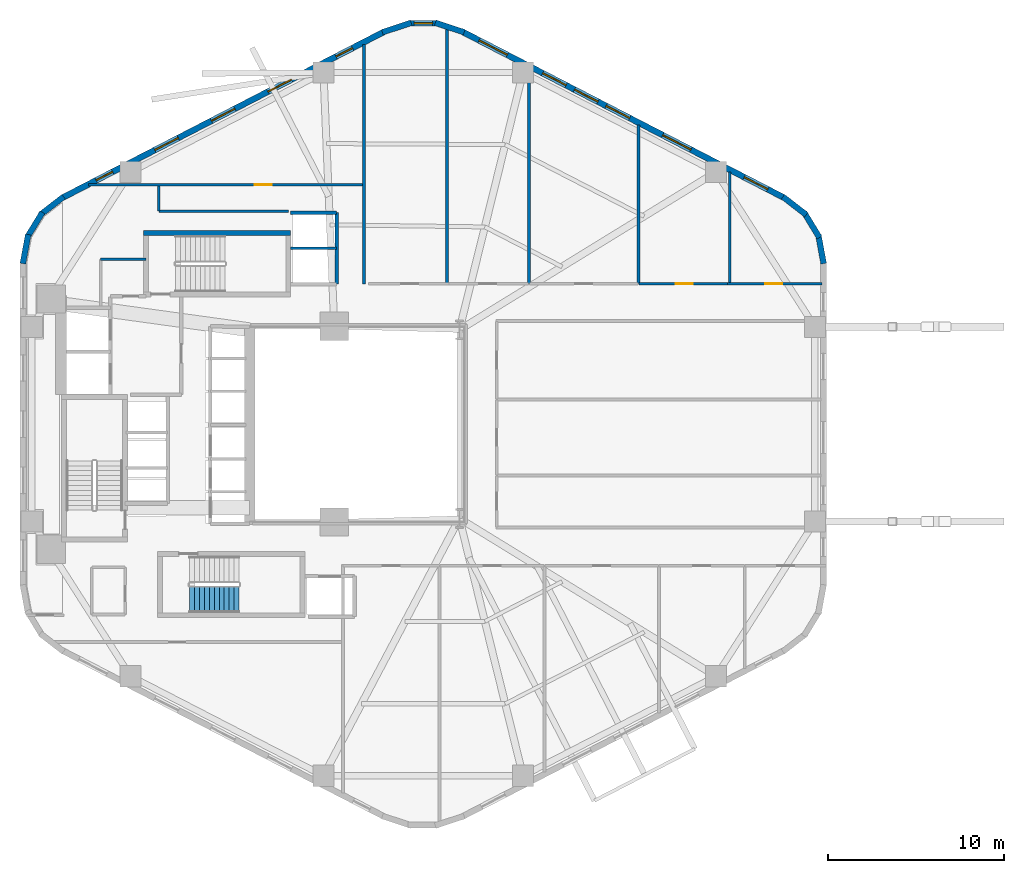
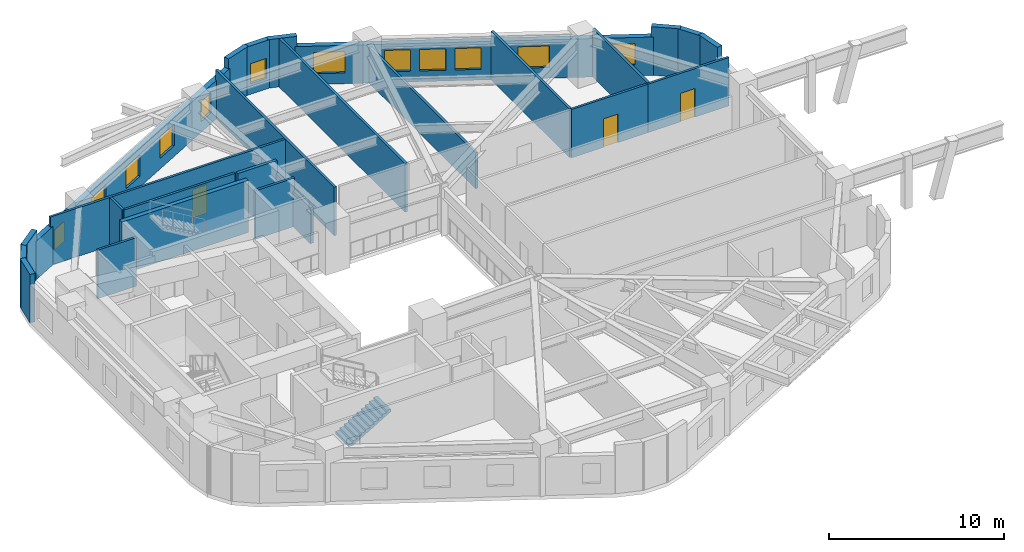
# One storey, part 5 of 7: 26 walls, 12 windows, 3 doors, 1 stair flight, 15 openings, 1 element without a shape of its own.
"""IFC4 building model written with IfcOpenShell, lengths in metres."""

from ifc_helpers import new_model, si_unit, direction, frame, frame_2d, origin, place, context, subcontext, project, spatial, polyline, rectangle, outline, extrude, material, layer, layer_set, type_object, element, fill, aggregate, save


model = new_model("IFC4")

# Units and contexts
model_context = context("Model", 3, precision=1e-05, world=origin(), true_north=direction((0.0, 1.0)))
body_context = subcontext(model_context, "Body", "Model", "MODEL_VIEW")
ifc_project = project(units=[si_unit("LENGTHUNIT", "METRE"), si_unit("AREAUNIT", "SQUARE_METRE"), si_unit("VOLUMEUNIT", "CUBIC_METRE"), si_unit("PLANEANGLEUNIT", "RADIAN"), si_unit("MASSUNIT", "GRAM", prefix="KILO"), si_unit("THERMODYNAMICTEMPERATUREUNIT", "KELVIN"), si_unit("POWERUNIT", "WATT")], contexts=[model_context])

# Site, building, storey
site_placement = place(None, origin())
site = spatial("IfcSite", under=ifc_project, at=site_placement, CompositionType="ELEMENT")
building_placement = place(site_placement, origin())
building = spatial("IfcBuilding", under=site, at=building_placement, Name="Skarre Station Tower", CompositionType="ELEMENT")
storey_placement = place(building_placement, frame((0.0, 0.0, 41.60009765625)))
storey = spatial("IfcBuildingStorey", under=building, at=storey_placement, Name="L10", CompositionType="ELEMENT", Elevation=41.60009765625)

# Wall
ifc_material_1 = material(Name="Acoustic Steel-Stud Gypsum Partition", Category="steel")
ifc_layer_1 = layer(ifc_material_1, 0.14990234375, Name="Acoustic Steel-Stud Gypsum Partition")
ifc_layer_set_1 = layer_set([ifc_layer_1], Name="Acoustic Steel-Stud Gypsum Partition")
wall_type_1 = type_object("IfcWallType", Name="Fire-Rated Corridor Acoustic Partition 150", PredefinedType="PARTITIONING", material=ifc_layer_set_1)
wall_1_placement = place(storey_placement, frame((21.659912109375, 33.35009765625, 0.0), z_axis=(0.0, 0.0, 1.0), x_axis=(-1.0, 0.0, 0.0)))
element("IfcWall", 1, at=wall_1_placement, inside=storey, type_object=wall_type_1, Name="L10 Interior Partition WL-PT-L10-CNW-N1", PredefinedType="PARTITIONING", context=body_context, shape_type="SweptSolid", body=[
    extrude(rectangle(XDim=2.559814453125, YDim=0.14990234375, at=frame_2d((1.27978515625, 0.0))), origin(), (0.0, 0.0, 1.0), 3.389892578125),
])

# Wall, opening, door
wall_2_placement = place(storey_placement, frame((34.0, 37.580078125, 0.0), z_axis=(0.0, 0.0, 1.0), x_axis=(-1.0, 0.0, 0.0)))
wall_2 = element("IfcWall", 2, at=wall_2_placement, inside=storey, type_object=wall_type_1, Name="L10 Interior Partition WL-PT-L10-NWW1-CW", PredefinedType="PARTITIONING", context=body_context, shape_type="SweptSolid", body=[
    extrude(rectangle(XDim=15.60009765625, YDim=0.14990234375, at=frame_2d((7.800048828125, 0.0))), origin(), (0.0, 0.0, 1.0), 3.389892578125),
])
opening_1_placement = place(wall_2_placement, frame((5.195068359375, 0.0, 0.0)))
opening_1 = element("IfcOpeningElement", 3, at=opening_1_placement, cuts=wall_2, Name="Opening DR-FD60", PredefinedType="OPENING", context=body_context, shape_type="SweptSolid", body=[
    extrude(rectangle(XDim=0.9599609375, YDim=2.0, at=frame_2d((0.47998046875, 1.0))), frame((0.0, 0.0849609375, 0.0), z_axis=(0.0, -1.0, 0.0), x_axis=(1.0, 0.0, 0.0)), (0.0, 0.0, 1.0), 0.169921875),
])
ifc_material_2 = material(Name="Nordic White-Oak Veneer Solid-Core Fire Leaf", Category="wood")
door_type = type_object("IfcDoorType", Name="Corridor Suite Entry Fire Door FD60 960x2150", OperationType="SINGLE_SWING_LEFT", PredefinedType="DOOR", material=ifc_material_2)
door_1_placement = place(opening_1_placement, origin())
door_1 = element("IfcDoor", 4, at=door_1_placement, inside=storey, type_object=door_type, Name="L10 NWW1 Entry Door", OperationType="SINGLE_SWING_LEFT", OverallHeight=2.0, OverallWidth=0.9599609375, PredefinedType="DOOR", context=body_context, shape_type="SweptSolid", body=[
    extrude(rectangle(XDim=0.9599609375, YDim=2.0, at=frame_2d((0.47998046875, 1.0))), frame((0.0, 0.02490234375, 0.0), z_axis=(0.0, -1.0, 0.0), x_axis=(1.0, 0.0, 0.0)), (0.0, 0.0, 1.0), 0.050048828125),
])
fill(opening_1, door_1)

wall_3_placement = place(storey_placement, frame((54.656005859375, 31.9599609375, 0.0), z_axis=(0.0, 0.0, 1.0), x_axis=(-1.0, 0.0, 0.0)))
wall_3 = element("IfcWall", 5, at=wall_3_placement, inside=storey, type_object=wall_type_1, Name="L10 Interior Partition WL-PT-L10-NW4-CW", PredefinedType="PARTITIONING", context=body_context, shape_type="SweptSolid", body=[
    extrude(rectangle(XDim=5.030029296875, YDim=0.14990234375, at=frame_2d((2.51513671875, 0.0))), origin(), (0.0, 0.0, 1.0), 3.389892578125),
])
opening_2_placement = place(wall_3_placement, frame((1.97802734375, 0.0, 0.0)))
opening_2 = element("IfcOpeningElement", 6, at=opening_2_placement, cuts=wall_3, Name="Opening DR-FD60", PredefinedType="OPENING", context=body_context, shape_type="SweptSolid", body=[
    extrude(rectangle(XDim=0.9599609375, YDim=2.0, at=frame_2d((0.47998046875, 1.0))), frame((0.0, 0.0849609375, 0.0), z_axis=(0.0, -1.0, 0.0), x_axis=(1.0, 0.0, 0.0)), (0.0, 0.0, 1.0), 0.169921875),
])
door_2_placement = place(opening_2_placement, origin())
door_2 = element("IfcDoor", 7, at=door_2_placement, inside=storey, type_object=door_type, Name="L10 NW4 Entry Door", OperationType="SINGLE_SWING_LEFT", OverallHeight=2.0, OverallWidth=0.9599609375, PredefinedType="DOOR", context=body_context, shape_type="SweptSolid", body=[
    extrude(rectangle(XDim=0.9599609375, YDim=2.0, at=frame_2d((0.47998046875, 1.0))), frame((0.0, 0.02490234375, 0.0), z_axis=(0.0, -1.0, 0.0), x_axis=(1.0, 0.0, 0.0)), (0.0, 0.0, 1.0), 0.050048828125),
])
fill(opening_2, door_2)

wall_4_placement = place(storey_placement, frame((60.031982421875, 31.9599609375, 0.0), z_axis=(0.0, 0.0, 1.0), x_axis=(-1.0, 0.0, 0.0)))
wall_4 = element("IfcWall", 8, at=wall_4_placement, inside=storey, type_object=wall_type_1, Name="L10 Interior Partition WL-PT-L10-NW5-CW", PredefinedType="PARTITIONING", context=body_context, shape_type="SweptSolid", body=[
    extrude(rectangle(XDim=5.365966796875, YDim=0.14990234375, at=frame_2d((2.68310546875, 0.0))), origin(), (0.0, 0.0, 1.0), 3.389892578125),
])
opening_3_placement = place(wall_4_placement, frame((2.260009765625, 0.0, 0.0)))
opening_3 = element("IfcOpeningElement", 9, at=opening_3_placement, cuts=wall_4, Name="Opening DR-FD60", PredefinedType="OPENING", context=body_context, shape_type="SweptSolid", body=[
    extrude(rectangle(XDim=0.9599609375, YDim=2.0, at=frame_2d((0.47998046875, 1.0))), frame((0.0, 0.0849609375, 0.0), z_axis=(0.0, -1.0, 0.0), x_axis=(1.0, 0.0, 0.0)), (0.0, 0.0, 1.0), 0.169921875),
])
door_3_placement = place(opening_3_placement, origin())
door_3 = element("IfcDoor", 10, at=door_3_placement, inside=storey, type_object=door_type, Name="L10 NW5 Entry Door", OperationType="SINGLE_SWING_LEFT", OverallHeight=2.0, OverallWidth=0.9599609375, PredefinedType="DOOR", context=body_context, shape_type="SweptSolid", body=[
    extrude(rectangle(XDim=0.9599609375, YDim=2.0, at=frame_2d((0.47998046875, 1.0))), frame((0.0, 0.02490234375, 0.0), z_axis=(0.0, -1.0, 0.0), x_axis=(1.0, 0.0, 0.0)), (0.0, 0.0, 1.0), 0.050048828125),
])
fill(opening_3, door_3)

# Walls
wall_5_placement = place(storey_placement, frame((29.7529296875, 36.080078125, 0.0), z_axis=(0.0, 0.0, 1.0), x_axis=(-1.0, 0.0, 0.0)))
element("IfcWall", 11, at=wall_5_placement, inside=storey, type_object=wall_type_1, Name="L10 Interior Partition WL-PT-L10-CSEAL-1", PredefinedType="PARTITIONING", context=body_context, shape_type="SweptSolid", body=[
    extrude(rectangle(XDim=7.35302734375, YDim=0.14990234375, at=frame_2d((3.676513671875, 0.0))), origin(), (0.0, 0.0, 1.0), 3.389892578125),
])
wall_6_placement = place(storey_placement, frame((22.39990234375, 36.080078125, 0.0), z_axis=(0.0, 0.0, 1.0), x_axis=(0.0, 1.0, 0.0)))
element("IfcWall", 12, at=wall_6_placement, inside=storey, type_object=wall_type_1, Name="L10 Interior Partition WL-PT-L10-CSEAL-2", PredefinedType="PARTITIONING", context=body_context, shape_type="SweptSolid", body=[
    extrude(rectangle(XDim=1.429931640625, YDim=0.14990234375, at=frame_2d((0.71484375, 0.0))), origin(), (0.0, 0.0, 1.0), 3.389892578125),
])

# Wall, openings, windows
ifc_material_3 = material(Name="Precast concrete C45/55", Category="concrete")
ifc_layer_2 = layer(ifc_material_3, 0.340087890625, Name="Precast concrete C45/55")
ifc_layer_set_2 = layer_set([ifc_layer_2], Name="Precast concrete C45/55")
wall_type_2 = type_object("IfcWallType", Name="Nordic Honed Precast Facet Wall 340", PredefinedType="STANDARD", material=ifc_layer_set_2)
wall_7_placement = place(storey_placement, frame((39.631103515625, 46.257080078125, 0.0), z_axis=(0.0, 0.0, 1.0), x_axis=(0.888634413993, -0.458616264721, 0.0)))
wall_7 = element("IfcWall", 13, at=wall_7_placement, inside=storey, type_object=wall_type_2, Name="L10 Facet 0 Nordic Precast Masonry Wall", PredefinedType="STANDARD", context=body_context, shape_type="SweptSolid", body=[
    extrude(rectangle(XDim=20.53125, YDim=0.340087890625, at=frame_2d((10.265625, 0.0))), origin(), (0.0, 0.0, 1.0), 2.683837890625),
])
opening_4_placement = place(wall_7_placement, frame((1.05810546875, 0.0, 0.75)))
opening_4 = element("IfcOpeningElement", 14, at=opening_4_placement, cuts=wall_7, Name="Opening WN-Z1A", PredefinedType="OPENING", context=body_context, shape_type="SweptSolid", body=[
    extrude(rectangle(XDim=1.800048828125, YDim=1.5, at=frame_2d((0.89990234375, 0.75))), frame((0.0, 0.179931640625, 0.0), z_axis=(0.0, -1.0, 0.0), x_axis=(1.0, 0.0, 0.0)), (0.0, 0.0, 1.0), 0.360107421875),
])
opening_5_placement = place(wall_7_placement, frame((5.110107421875, 0.0, 0.75)))
opening_5 = element("IfcOpeningElement", 15, at=opening_5_placement, cuts=wall_7, Name="Opening WN-Z1B", PredefinedType="OPENING", context=body_context, shape_type="SweptSolid", body=[
    extrude(rectangle(XDim=1.5, YDim=1.5, at=frame_2d((0.75, 0.75))), frame((0.0, 0.179931640625, 0.0), z_axis=(0.0, -1.0, 0.0), x_axis=(1.0, 0.0, 0.0)), (0.0, 0.0, 1.0), 0.360107421875),
])
opening_6_placement = place(wall_7_placement, frame((7.137939453125, 0.0, 0.75)))
opening_6 = element("IfcOpeningElement", 16, at=opening_6_placement, cuts=wall_7, Name="Opening WN-Z1B", PredefinedType="OPENING", context=body_context, shape_type="SweptSolid", body=[
    extrude(rectangle(XDim=1.5, YDim=1.5, at=frame_2d((0.75, 0.75))), frame((0.0, 0.179931640625, 0.0), z_axis=(0.0, -1.0, 0.0), x_axis=(1.0, 0.0, 0.0)), (0.0, 0.0, 1.0), 0.360107421875),
])
opening_7_placement = place(wall_7_placement, frame((9.1650390625, 0.0, 0.75)))
opening_7 = element("IfcOpeningElement", 17, at=opening_7_placement, cuts=wall_7, Name="Opening WN-Z1B", PredefinedType="OPENING", context=body_context, shape_type="SweptSolid", body=[
    extrude(rectangle(XDim=1.5, YDim=1.5, at=frame_2d((0.75, 0.75))), frame((0.0, 0.179931640625, 0.0), z_axis=(0.0, -1.0, 0.0), x_axis=(1.0, 0.0, 0.0)), (0.0, 0.0, 1.0), 0.360107421875),
])
opening_8_placement = place(wall_7_placement, frame((12.77001953125, 0.0, 0.75)))
opening_8 = element("IfcOpeningElement", 18, at=opening_8_placement, cuts=wall_7, Name="Opening WN-Z1A", PredefinedType="OPENING", context=body_context, shape_type="SweptSolid", body=[
    extrude(rectangle(XDim=1.800048828125, YDim=1.5, at=frame_2d((0.89990234375, 0.75))), frame((0.0, 0.179931640625, 0.0), z_axis=(0.0, -1.0, 0.0), x_axis=(1.0, 0.0, 0.0)), (0.0, 0.0, 1.0), 0.360107421875),
])
opening_9_placement = place(wall_7_placement, frame((17.97998046875, 0.0, 0.75)))
opening_9 = element("IfcOpeningElement", 19, at=opening_9_placement, cuts=wall_7, Name="Opening WN-Z1B", PredefinedType="OPENING", context=body_context, shape_type="SweptSolid", body=[
    extrude(rectangle(XDim=1.5, YDim=1.5, at=frame_2d((0.75, 0.75))), frame((0.0, 0.179931640625, 0.0), z_axis=(0.0, -1.0, 0.0), x_axis=(1.0, 0.0, 0.0)), (0.0, 0.0, 1.0), 0.360107421875),
])
ifc_material_4 = material(Name="Low-Iron Triple Glazing with Bronze Anodized Frame", Category="glass")
window_type_1 = type_object("IfcWindowType", Name="Nordic Punched Triple-Glazed Window 1500x1500", PartitioningType="SINGLE_PANEL", PredefinedType="WINDOW", material=ifc_material_4)
window_1_placement = place(opening_5_placement, origin())
window_1 = element("IfcWindow", 20, at=window_1_placement, inside=storey, type_object=window_type_1, Name="L10 Facade Window WL-FAC-L10-F0-2", OverallHeight=1.5, OverallWidth=1.5, PartitioningType="SINGLE_PANEL", PredefinedType="WINDOW", context=body_context, shape_type="SweptSolid", body=[
    extrude(rectangle(XDim=1.5, YDim=1.5, at=frame_2d((0.75, 0.75))), frame((0.0, 0.030029296875, 0.0), z_axis=(0.0, -1.0, 0.0), x_axis=(1.0, 0.0, 0.0)), (0.0, 0.0, 1.0), 0.06005859375),
])
fill(opening_5, window_1)
window_2_placement = place(opening_6_placement, origin())
window_2 = element("IfcWindow", 21, at=window_2_placement, inside=storey, type_object=window_type_1, Name="L10 Facade Window WL-FAC-L10-F0-3", OverallHeight=1.5, OverallWidth=1.5, PartitioningType="SINGLE_PANEL", PredefinedType="WINDOW", context=body_context, shape_type="SweptSolid", body=[
    extrude(rectangle(XDim=1.5, YDim=1.5, at=frame_2d((0.75, 0.75))), frame((0.0, 0.030029296875, 0.0), z_axis=(0.0, -1.0, 0.0), x_axis=(1.0, 0.0, 0.0)), (0.0, 0.0, 1.0), 0.06005859375),
])
fill(opening_6, window_2)
window_3_placement = place(opening_7_placement, origin())
window_3 = element("IfcWindow", 22, at=window_3_placement, inside=storey, type_object=window_type_1, Name="L10 Facade Window WL-FAC-L10-F0-4", OverallHeight=1.5, OverallWidth=1.5, PartitioningType="SINGLE_PANEL", PredefinedType="WINDOW", context=body_context, shape_type="SweptSolid", body=[
    extrude(rectangle(XDim=1.5, YDim=1.5, at=frame_2d((0.75, 0.75))), frame((0.0, 0.030029296875, 0.0), z_axis=(0.0, -1.0, 0.0), x_axis=(1.0, 0.0, 0.0)), (0.0, 0.0, 1.0), 0.06005859375),
])
fill(opening_7, window_3)
window_4_placement = place(opening_9_placement, origin())
window_4 = element("IfcWindow", 23, at=window_4_placement, inside=storey, type_object=window_type_1, Name="L10 Facade Window WL-FAC-L10-F0-6", OverallHeight=1.5, OverallWidth=1.5, PartitioningType="SINGLE_PANEL", PredefinedType="WINDOW", context=body_context, shape_type="SweptSolid", body=[
    extrude(rectangle(XDim=1.5, YDim=1.5, at=frame_2d((0.75, 0.75))), frame((0.0, 0.030029296875, 0.0), z_axis=(0.0, -1.0, 0.0), x_axis=(1.0, 0.0, 0.0)), (0.0, 0.0, 1.0), 0.06005859375),
])
fill(opening_9, window_4)
window_type_2 = type_object("IfcWindowType", Name="Nordic Punched Triple-Glazed Window 1800x1500", PartitioningType="SINGLE_PANEL", PredefinedType="WINDOW", material=ifc_material_4)
window_5_placement = place(opening_4_placement, origin())
window_5 = element("IfcWindow", 24, at=window_5_placement, inside=storey, type_object=window_type_2, Name="L10 Facade Window WL-FAC-L10-F0-1", OverallHeight=1.5, OverallWidth=1.800048828125, PartitioningType="SINGLE_PANEL", PredefinedType="WINDOW", context=body_context, shape_type="SweptSolid", body=[
    extrude(rectangle(XDim=1.800048828125, YDim=1.5, at=frame_2d((0.89990234375, 0.75))), frame((0.0, 0.030029296875, 0.0), z_axis=(0.0, -1.0, 0.0), x_axis=(1.0, 0.0, 0.0)), (0.0, 0.0, 1.0), 0.06005859375),
])
fill(opening_4, window_5)
window_6_placement = place(opening_8_placement, origin())
window_6 = element("IfcWindow", 25, at=window_6_placement, inside=storey, type_object=window_type_2, Name="L10 Facade Window WL-FAC-L10-F0-5", OverallHeight=1.5, OverallWidth=1.800048828125, PartitioningType="SINGLE_PANEL", PredefinedType="WINDOW", context=body_context, shape_type="SweptSolid", body=[
    extrude(rectangle(XDim=1.800048828125, YDim=1.5, at=frame_2d((0.89990234375, 0.75))), frame((0.0, 0.030029296875, 0.0), z_axis=(0.0, -1.0, 0.0), x_axis=(1.0, 0.0, 0.0)), (0.0, 0.0, 1.0), 0.06005859375),
])
fill(opening_8, window_6)

wall_8_placement = place(storey_placement, frame((16.924072265625, 36.841064453125, 0.0), z_axis=(0.0, 0.0, 1.0), x_axis=(0.888634413993, 0.458616264721, 0.0)))
wall_8 = element("IfcWall", 26, at=wall_8_placement, inside=storey, type_object=wall_type_2, Name="L10 Facet 1 Nordic Precast Masonry Wall", PredefinedType="STANDARD", context=body_context, shape_type="SweptSolid", body=[
    extrude(rectangle(XDim=20.53125, YDim=0.340087890625, at=frame_2d((10.265625, 0.0))), origin(), (0.0, 0.0, 1.0), 2.683837890625),
])
opening_10_placement = place(wall_8_placement, frame((2.160888671875, 0.0, 0.75)))
opening_10 = element("IfcOpeningElement", 27, at=opening_10_placement, cuts=wall_8, Name="Opening WN-SLT", PredefinedType="OPENING", context=body_context, shape_type="SweptSolid", body=[
    extrude(rectangle(XDim=1.050048828125, YDim=1.39990234375, at=frame_2d((0.52490234375, 0.699951171875))), frame((0.0, 0.179931640625, 0.0), z_axis=(0.0, -1.0, 0.0), x_axis=(1.0, 0.0, 0.0)), (0.0, 0.0, 1.0), 0.360107421875),
])
opening_11_placement = place(wall_8_placement, frame((5.903076171875, 0.0, 0.75)))
opening_11 = element("IfcOpeningElement", 28, at=opening_11_placement, cuts=wall_8, Name="Opening WN-Z1B", PredefinedType="OPENING", context=body_context, shape_type="SweptSolid", body=[
    extrude(rectangle(XDim=1.5, YDim=1.5, at=frame_2d((0.75, 0.75))), frame((0.0, 0.179931640625, 0.0), z_axis=(0.0, -1.0, 0.0), x_axis=(1.0, 0.0, 0.0)), (0.0, 0.0, 1.0), 0.360107421875),
])
opening_12_placement = place(wall_8_placement, frame((9.51611328125, 0.0, 0.75)))
opening_12 = element("IfcOpeningElement", 29, at=opening_12_placement, cuts=wall_8, Name="Opening WN-Z1B", PredefinedType="OPENING", context=body_context, shape_type="SweptSolid", body=[
    extrude(rectangle(XDim=1.5, YDim=1.5, at=frame_2d((0.75, 0.75))), frame((0.0, 0.179931640625, 0.0), z_axis=(0.0, -1.0, 0.0), x_axis=(1.0, 0.0, 0.0)), (0.0, 0.0, 1.0), 0.360107421875),
])
opening_13_placement = place(wall_8_placement, frame((13.12890625, 0.0, 0.75)))
opening_13 = element("IfcOpeningElement", 30, at=opening_13_placement, cuts=wall_8, Name="Opening WN-Z1B", PredefinedType="OPENING", context=body_context, shape_type="SweptSolid", body=[
    extrude(rectangle(XDim=1.5, YDim=1.5, at=frame_2d((0.75, 0.75))), frame((0.0, 0.179931640625, 0.0), z_axis=(0.0, -1.0, 0.0), x_axis=(1.0, 0.0, 0.0)), (0.0, 0.0, 1.0), 0.360107421875),
])
opening_14_placement = place(wall_8_placement, frame((17.47607421875, 0.0, 0.75)))
opening_14 = element("IfcOpeningElement", 31, at=opening_14_placement, cuts=wall_8, Name="Opening WN-SLT", PredefinedType="OPENING", context=body_context, shape_type="SweptSolid", body=[
    extrude(rectangle(XDim=1.050048828125, YDim=1.39990234375, at=frame_2d((0.52490234375, 0.699951171875))), frame((0.0, 0.179931640625, 0.0), z_axis=(0.0, -1.0, 0.0), x_axis=(1.0, 0.0, 0.0)), (0.0, 0.0, 1.0), 0.360107421875),
])
window_type_3 = type_object("IfcWindowType", Name="Nordic Corner Slot Window 1050x1400", PartitioningType="SINGLE_PANEL", PredefinedType="WINDOW", material=ifc_material_4)
window_7_placement = place(opening_10_placement, origin())
window_7 = element("IfcWindow", 32, at=window_7_placement, inside=storey, type_object=window_type_3, Name="L10 Facade Window WL-FAC-L10-F1-1", OverallHeight=1.39990234375, OverallWidth=1.050048828125, PartitioningType="SINGLE_PANEL", PredefinedType="WINDOW", context=body_context, shape_type="SweptSolid", body=[
    extrude(rectangle(XDim=1.050048828125, YDim=1.39990234375, at=frame_2d((0.52490234375, 0.699951171875))), frame((0.0, 0.030029296875, 0.0), z_axis=(0.0, -1.0, 0.0), x_axis=(1.0, 0.0, 0.0)), (0.0, 0.0, 1.0), 0.06005859375),
])
fill(opening_10, window_7)
window_8_placement = place(opening_14_placement, origin())
window_8 = element("IfcWindow", 33, at=window_8_placement, inside=storey, type_object=window_type_3, Name="L10 Facade Window WL-FAC-L10-F1-5", OverallHeight=1.39990234375, OverallWidth=1.050048828125, PartitioningType="SINGLE_PANEL", PredefinedType="WINDOW", context=body_context, shape_type="SweptSolid", body=[
    extrude(rectangle(XDim=1.050048828125, YDim=1.39990234375, at=frame_2d((0.52490234375, 0.699951171875))), frame((0.0, 0.030029296875, 0.0), z_axis=(0.0, -1.0, 0.0), x_axis=(1.0, 0.0, 0.0)), (0.0, 0.0, 1.0), 0.06005859375),
])
fill(opening_14, window_8)
window_9_placement = place(opening_11_placement, origin())
window_9 = element("IfcWindow", 34, at=window_9_placement, inside=storey, type_object=window_type_1, Name="L10 Facade Window WL-FAC-L10-F1-2", OverallHeight=1.5, OverallWidth=1.5, PartitioningType="SINGLE_PANEL", PredefinedType="WINDOW", context=body_context, shape_type="SweptSolid", body=[
    extrude(rectangle(XDim=1.5, YDim=1.5, at=frame_2d((0.75, 0.75))), frame((0.0, 0.030029296875, 0.0), z_axis=(0.0, -1.0, 0.0), x_axis=(1.0, 0.0, 0.0)), (0.0, 0.0, 1.0), 0.06005859375),
])
fill(opening_11, window_9)
window_10_placement = place(opening_12_placement, origin())
window_10 = element("IfcWindow", 35, at=window_10_placement, inside=storey, type_object=window_type_1, Name="L10 Facade Window WL-FAC-L10-F1-3", OverallHeight=1.5, OverallWidth=1.5, PartitioningType="SINGLE_PANEL", PredefinedType="WINDOW", context=body_context, shape_type="SweptSolid", body=[
    extrude(rectangle(XDim=1.5, YDim=1.5, at=frame_2d((0.75, 0.75))), frame((0.0, 0.030029296875, 0.0), z_axis=(0.0, -1.0, 0.0), x_axis=(1.0, 0.0, 0.0)), (0.0, 0.0, 1.0), 0.06005859375),
])
fill(opening_12, window_10)
window_11_placement = place(opening_13_placement, origin())
window_11 = element("IfcWindow", 36, at=window_11_placement, inside=storey, type_object=window_type_1, Name="L10 Facade Window WL-FAC-L10-F1-4", OverallHeight=1.5, OverallWidth=1.5, PartitioningType="SINGLE_PANEL", PredefinedType="WINDOW", context=body_context, shape_type="SweptSolid", body=[
    extrude(rectangle(XDim=1.5, YDim=1.5, at=frame_2d((0.75, 0.75))), frame((0.0, 0.030029296875, 0.0), z_axis=(0.0, -1.0, 0.0), x_axis=(1.0, 0.0, 0.0)), (0.0, 0.0, 1.0), 0.06005859375),
])
fill(opening_13, window_11)

# Walls
ifc_layer_3 = layer(ifc_material_3, 0.330078125, Name="Precast concrete C45/55")
ifc_layer_set_3 = layer_set([ifc_layer_3], Name="Precast concrete C45/55")
wall_type_3 = type_object("IfcWallType", Name="Nordic Rounded Corner Precast Wall 330", PredefinedType="STANDARD", material=ifc_layer_set_3)
wall_9_placement = place(storey_placement, frame((57.802001953125, 36.90087890625, 0.0), z_axis=(0.0, 0.0, 1.0), x_axis=(0.790691856293, -0.61221433207, 0.0)))
element("IfcWall", 37, at=wall_9_placement, inside=storey, type_object=wall_type_3, Name="L10 Rounded Corner Precast Wall F0-1", PredefinedType="STANDARD", context=body_context, shape_type="SweptSolid", body=[
    extrude(rectangle(XDim=1.67578125, YDim=0.330078125, at=frame_2d((0.837890625, 0.0))), origin(), (0.0, 0.0, 1.0), 3.389892578125),
])
wall_10_placement = place(storey_placement, frame((59.001953125, 36.014892578125, 0.0), z_axis=(0.0, 0.0, 1.0), x_axis=(0.520584129191, -0.853810379671, 0.0)))
element("IfcWall", 38, at=wall_10_placement, inside=storey, type_object=wall_type_3, Name="L10 Rounded Corner Precast Wall F0-2", PredefinedType="STANDARD", context=body_context, shape_type="SweptSolid", body=[
    extrude(rectangle(XDim=1.677001953125, YDim=0.330078125, at=frame_2d((0.83837890625, 0.0))), origin(), (0.0, 0.0, 1.0), 3.389892578125),
])
wall_11_placement = place(storey_placement, frame((59.80810546875, 34.758056640625, 0.0), z_axis=(0.0, 0.0, 1.0), x_axis=(0.181714143354, -0.983351397063, 0.0)))
element("IfcWall", 39, at=wall_11_placement, inside=storey, type_object=wall_type_3, Name="L10 Rounded Corner Precast Wall F0-3", PredefinedType="STANDARD", context=body_context, shape_type="SweptSolid", body=[
    extrude(rectangle(XDim=1.677978515625, YDim=0.330078125, at=frame_2d((0.8388671875, 0.0))), origin(), (0.0, 0.0, 1.0), 3.389892578125),
])
wall_12_placement = place(storey_placement, frame((35.0810546875, 46.23095703125, 0.0), z_axis=(0.0, 0.0, 1.0), x_axis=(0.94976901097, 0.312951794691, 0.0)))
element("IfcWall", 40, at=wall_12_placement, inside=storey, type_object=wall_type_3, Name="L10 Rounded Corner Precast Wall F1-1", PredefinedType="STANDARD", context=body_context, shape_type="SweptSolid", body=[
    extrude(rectangle(XDim=1.722412109375, YDim=0.330078125, at=frame_2d((0.861328125, 0.0))), origin(), (0.0, 0.0, 1.0), 3.389892578125),
])

# Wall, opening, window
wall_13_placement = place(storey_placement, frame((36.5390625, 46.740966796875, 0.0), z_axis=(0.0, 0.0, 1.0), x_axis=(1.0, 0.0, 0.0)))
wall_13 = element("IfcWall", 41, at=wall_13_placement, inside=storey, type_object=wall_type_3, Name="L10 Rounded Corner Precast Wall F1-2", PredefinedType="STANDARD", context=body_context, shape_type="SweptSolid", body=[
    extrude(rectangle(XDim=1.721923828125, YDim=0.330078125, at=frame_2d((0.86083984375, 0.0))), origin(), (0.0, 0.0, 1.0), 3.389892578125),
])
opening_15_placement = place(wall_13_placement, frame((0.3359375, 0.0, 0.75)))
opening_15 = element("IfcOpeningElement", 42, at=opening_15_placement, cuts=wall_13, Name="Opening WN-SLT", PredefinedType="OPENING", context=body_context, shape_type="SweptSolid", body=[
    extrude(rectangle(XDim=1.050048828125, YDim=1.39990234375, at=frame_2d((0.52490234375, 0.699951171875))), frame((0.0, 0.175048828125, 0.0), z_axis=(0.0, -1.0, 0.0), x_axis=(1.0, 0.0, 0.0)), (0.0, 0.0, 1.0), 0.35009765625),
])
window_12_placement = place(opening_15_placement, origin())
window_12 = element("IfcWindow", 43, at=window_12_placement, inside=storey, type_object=window_type_3, Name="L10 Apex Corner Slot Window F1-2", OverallHeight=1.39990234375, OverallWidth=1.050048828125, PartitioningType="SINGLE_PANEL", PredefinedType="WINDOW", context=body_context, shape_type="SweptSolid", body=[
    extrude(rectangle(XDim=1.050048828125, YDim=1.39990234375, at=frame_2d((0.52490234375, 0.699951171875))), frame((0.0, 0.030029296875, 0.0), z_axis=(0.0, -1.0, 0.0), x_axis=(1.0, 0.0, 0.0)), (0.0, 0.0, 1.0), 0.06005859375),
])
fill(opening_15, window_12)

# Walls
wall_14_placement = place(storey_placement, frame((38.0830078125, 46.77001953125, 0.0), z_axis=(0.0, 0.0, 1.0), x_axis=(0.94976901097, -0.312951794691, 0.0)))
element("IfcWall", 44, at=wall_14_placement, inside=storey, type_object=wall_type_3, Name="L10 Rounded Corner Precast Wall F1-3", PredefinedType="STANDARD", context=body_context, shape_type="SweptSolid", body=[
    extrude(rectangle(XDim=1.722412109375, YDim=0.330078125, at=frame_2d((0.861328125, 0.0))), origin(), (0.0, 0.0, 1.0), 3.389892578125),
])
wall_15_placement = place(storey_placement, frame((14.68701171875, 33.10791015625, 0.0), z_axis=(0.0, 0.0, 1.0), x_axis=(0.181714143354, 0.983351397063, 0.0)))
element("IfcWall", 45, at=wall_15_placement, inside=storey, type_object=wall_type_3, Name="L10 Rounded Corner Precast Wall F2-1", PredefinedType="STANDARD", context=body_context, shape_type="SweptSolid", body=[
    extrude(rectangle(XDim=1.677978515625, YDim=0.330078125, at=frame_2d((0.8388671875, 0.0))), origin(), (0.0, 0.0, 1.0), 3.389892578125),
])
wall_16_placement = place(storey_placement, frame((14.925048828125, 34.5830078125, 0.0), z_axis=(0.0, 0.0, 1.0), x_axis=(0.520584129191, 0.853810379671, 0.0)))
element("IfcWall", 46, at=wall_16_placement, inside=storey, type_object=wall_type_3, Name="L10 Rounded Corner Precast Wall F2-2", PredefinedType="STANDARD", context=body_context, shape_type="SweptSolid", body=[
    extrude(rectangle(XDim=1.677001953125, YDim=0.330078125, at=frame_2d((0.83837890625, 0.0))), origin(), (0.0, 0.0, 1.0), 3.389892578125),
])
wall_17_placement = place(storey_placement, frame((15.673095703125, 35.875, 0.0), z_axis=(0.0, 0.0, 1.0), x_axis=(0.790691856293, 0.61221433207, 0.0)))
element("IfcWall", 47, at=wall_17_placement, inside=storey, type_object=wall_type_3, Name="L10 Rounded Corner Precast Wall F2-3", PredefinedType="STANDARD", context=body_context, shape_type="SweptSolid", body=[
    extrude(rectangle(XDim=1.67578125, YDim=0.330078125, at=frame_2d((0.837890625, 0.0))), origin(), (0.0, 0.0, 1.0), 3.389892578125),
])
ifc_material_5 = material(Name="Concrete C50/60", Category="concrete")
ifc_layer_4 = layer(ifc_material_5, 0.280029296875, Name="Concrete C50/60")
ifc_layer_set_4 = layer_set([ifc_layer_4], Name="Concrete C50/60")
wall_type_4 = type_object("IfcWallType", Name="RC Core Shear Wall 280", PredefinedType="SHEAR", material=ifc_layer_set_4)
wall_18_placement = place(storey_placement, frame((29.8798828125, 34.840087890625, 0.0), z_axis=(0.0, 0.0, 1.0), x_axis=(-1.0, 0.0, 0.0)))
element("IfcWall", 48, at=wall_18_placement, inside=storey, type_object=wall_type_4, Name="L10 Stair ST-3 North Shear Wall", PredefinedType="SHEAR", context=body_context, shape_type="SweptSolid", body=[
    extrude(rectangle(XDim=8.35986328125, YDim=0.280029296875, at=frame_2d((4.179931640625, 0.0))), origin(), (0.0, 0.0, 1.0), 3.64990234375),
])
ifc_material_6 = material(Name="Gypsum Concrete Shaft Assembly C30/37", Category="concrete")
ifc_layer_5 = layer(ifc_material_6, 0.199951171875, Name="Gypsum Concrete Shaft Assembly C30/37")
ifc_layer_set_5 = layer_set([ifc_layer_5], Name="Gypsum Concrete Shaft Assembly C30/37")
wall_type_5 = type_object("IfcWallType", Name="Shaft & Core Fire Partition 200", PredefinedType="PARTITIONING", material=ifc_layer_set_5)
wall_19_placement = place(storey_placement, frame((32.47998046875, 31.949951171875, 0.0), z_axis=(0.0, 0.0, 1.0), x_axis=(0.0, 1.0, 0.0)))
element("IfcWall", 49, at=wall_19_placement, inside=storey, type_object=wall_type_5, Name="L10 Interior Partition WL-PT-L10-EX-E", PredefinedType="PARTITIONING", context=body_context, shape_type="SweptSolid", body=[
    extrude(rectangle(XDim=4.050048828125, YDim=0.199951171875, at=frame_2d((2.02490234375, 0.0))), origin(), (0.0, 0.0, 1.0), 2.512939453125),
])
wall_20_placement = place(storey_placement, frame((29.8798828125, 36.0, 0.0), z_axis=(0.0, 0.0, 1.0), x_axis=(1.0, 0.0, 0.0)))
element("IfcWall", 50, at=wall_20_placement, inside=storey, type_object=wall_type_5, Name="L10 Interior Partition WL-PT-L10-EX-N", PredefinedType="PARTITIONING", context=body_context, shape_type="SweptSolid", body=[
    extrude(rectangle(XDim=2.60009765625, YDim=0.199951171875, at=frame_2d((1.300048828125, 0.0))), origin(), (0.0, 0.0, 1.0), 3.389892578125),
])
wall_21_placement = place(storey_placement, frame((29.875, 33.97998046875, 0.0), z_axis=(0.0, 0.0, 1.0), x_axis=(1.0, 0.0, 0.0)))
element("IfcWall", 51, at=wall_21_placement, inside=storey, type_object=wall_type_5, Name="L10 Interior Partition WL-PT-L10-EX-DIV", PredefinedType="PARTITIONING", context=body_context, shape_type="SweptSolid", body=[
    extrude(rectangle(XDim=2.60498046875, YDim=0.159912109375, at=frame_2d((1.302490234375, 0.0))), origin(), (0.0, 0.0, 1.0), 3.389892578125),
])
ifc_layer_6 = layer(ifc_material_1, 0.1650390625, Name="Acoustic Steel-Stud Gypsum Partition")
ifc_layer_set_6 = layer_set([ifc_layer_6], Name="Acoustic Steel-Stud Gypsum Partition")
wall_type_6 = type_object("IfcWallType", Name="Suite Demising Acoustic Partition 165", PredefinedType="PARTITIONING", material=ifc_layer_set_6)
wall_22_placement = place(storey_placement, frame((34.0400390625, 31.9599609375, 0.0), z_axis=(0.0, 0.0, 1.0), x_axis=(0.0, 1.0, 0.0)))
element("IfcWall", 52, at=wall_22_placement, inside=storey, type_object=wall_type_6, Name="L10 Interior Partition WL-PT-L10-NW-WBND", PredefinedType="PARTITIONING", context=body_context, shape_type="SweptSolid", body=[
    extrude(rectangle(XDim=13.5791015625, YDim=0.1650390625, at=frame_2d((6.78955078125, 0.0))), origin(), (0.0, 0.0, 1.0), 3.389892578125),
])
wall_23_placement = place(storey_placement, frame((38.739013671875, 31.969970703125, 0.0), z_axis=(0.0, 0.0, 1.0), x_axis=(0.0, 1.0, 0.0)))
element("IfcWall", 53, at=wall_23_placement, inside=storey, type_object=wall_type_6, Name="L10 Interior Partition WL-PT-L10-NW-P1", PredefinedType="PARTITIONING", context=body_context, shape_type="SweptSolid", body=[
    extrude(rectangle(XDim=14.4521484375, YDim=0.1650390625, at=frame_2d((7.22607421875, 0.0))), origin(), (0.0, 0.0, 1.0), 3.389892578125),
])
wall_24_placement = place(storey_placement, frame((43.39794921875, 31.969970703125, 0.0), z_axis=(0.0, 0.0, 1.0), x_axis=(0.0, 1.0, 0.0)))
element("IfcWall", 54, at=wall_24_placement, inside=storey, type_object=wall_type_6, Name="L10 Interior Partition WL-PT-L10-NW-P2", PredefinedType="PARTITIONING", context=body_context, shape_type="SweptSolid", body=[
    extrude(rectangle(XDim=12.2080078125, YDim=0.1650390625, at=frame_2d((6.10400390625, 0.0))), origin(), (0.0, 0.0, 1.0), 2.512939453125),
])
wall_25_placement = place(storey_placement, frame((49.610107421875, 31.969970703125, 0.0), z_axis=(0.0, 0.0, 1.0), x_axis=(0.0, 1.0, 0.0)))
element("IfcWall", 55, at=wall_25_placement, inside=storey, type_object=wall_type_6, Name="L10 Interior Partition WL-PT-L10-NW-P3", PredefinedType="PARTITIONING", context=body_context, shape_type="SweptSolid", body=[
    extrude(rectangle(XDim=9.001953125, YDim=0.1650390625, at=frame_2d((4.5009765625, 0.0))), origin(), (0.0, 0.0, 1.0), 3.389892578125),
])
wall_26_placement = place(storey_placement, frame((54.785888671875, 31.969970703125, 0.0), z_axis=(0.0, 0.0, 1.0), x_axis=(0.0, 1.0, 0.0)))
element("IfcWall", 56, at=wall_26_placement, inside=storey, type_object=wall_type_6, Name="L10 Interior Partition WL-PT-L10-NW-P4", PredefinedType="PARTITIONING", context=body_context, shape_type="SweptSolid", body=[
    extrude(rectangle(XDim=6.3310546875, YDim=0.1650390625, at=frame_2d((3.16552734375, 0.0))), origin(), (0.0, 0.0, 1.0), 3.389892578125),
])

# Stair, stair flight
ifc_material_7 = material(Name="Concrete C40/50", Category="concrete")
stair_type = type_object("IfcStairType", Name="Reinforced Concrete Exit Stair ST-2", PredefinedType="HALF_TURN_STAIR", material=ifc_material_7)
stair_placement = place(storey_placement, origin())
stair = element("IfcStair", 57, at=stair_placement, inside=storey, type_object=stair_type, Name="L10 Core Exit Stair ST-2", PredefinedType="HALF_TURN_STAIR")
stair_flight_type = type_object("IfcStairFlightType", Name="Reinforced Concrete Stair Flight ST-2", PredefinedType="STRAIGHT", material=ifc_material_7)
stair_flight_placement = place(storey_placement, frame((24.14990234375, 14.06005859375, 0.0), z_axis=(0.0, 0.0, 1.0), x_axis=(1.0, 0.0, 0.0)))
stair_flight = element("IfcStairFlight", 58, at=stair_flight_placement, type_object=stair_flight_type, Name="ST-2 flight 1", NumberOfRisers=11, NumberOfTreads=10, PredefinedType="STRAIGHT", RiserHeight=0.165909091, TreadLength=0.28, context=body_context, shape_type="SweptSolid", body=[
    extrude(outline(polyline([(0.0, 0.0), (0.0, 0.166015625), (0.280029296875, 0.166015625), (0.280029296875, 0.331787109375), (0.56005859375, 0.331787109375), (0.56005859375, 0.497802734375), (0.840087890625, 0.497802734375), (0.840087890625, 0.66357421875), (1.1201171875, 0.66357421875), (1.1201171875, 0.82958984375), (1.39990234375, 0.82958984375), (1.39990234375, 0.995361328125), (1.679931640625, 0.995361328125), (1.679931640625, 1.161376953125), (1.9599609375, 1.161376953125), (1.9599609375, 1.327392578125), (2.239990234375, 1.327392578125), (2.239990234375, 1.4931640625), (2.52001953125, 1.4931640625), (2.52001953125, 1.6591796875), (2.800048828125, 1.6591796875), (2.800048828125, 1.824951171875), (2.800048828125, 1.48486328125), (0.2939453125, 0.0), (0.0, 0.0)])), frame((0.0, 0.760009765625, 0.0), z_axis=(0.0, -1.0, 0.0), x_axis=(1.0, 0.0, 0.0)), (0.0, 0.0, 1.0), 1.52001953125),
])
aggregate(stair, [stair_flight])

save(model, "model.ifc")
